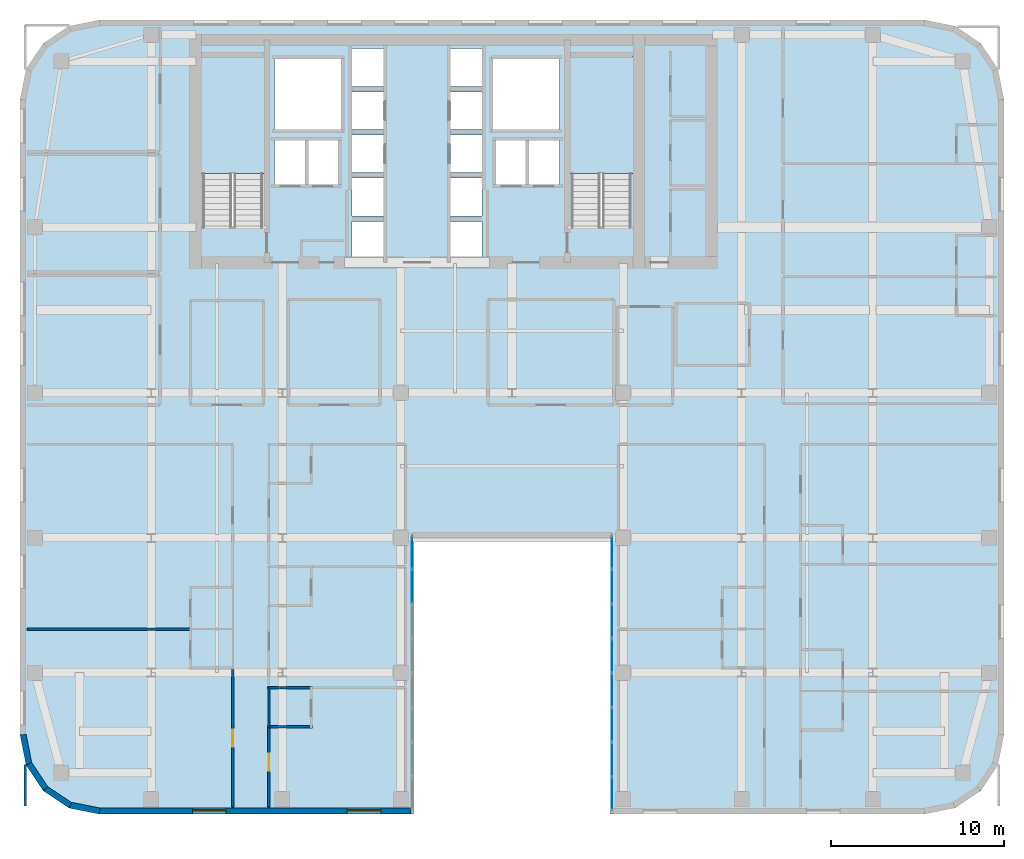
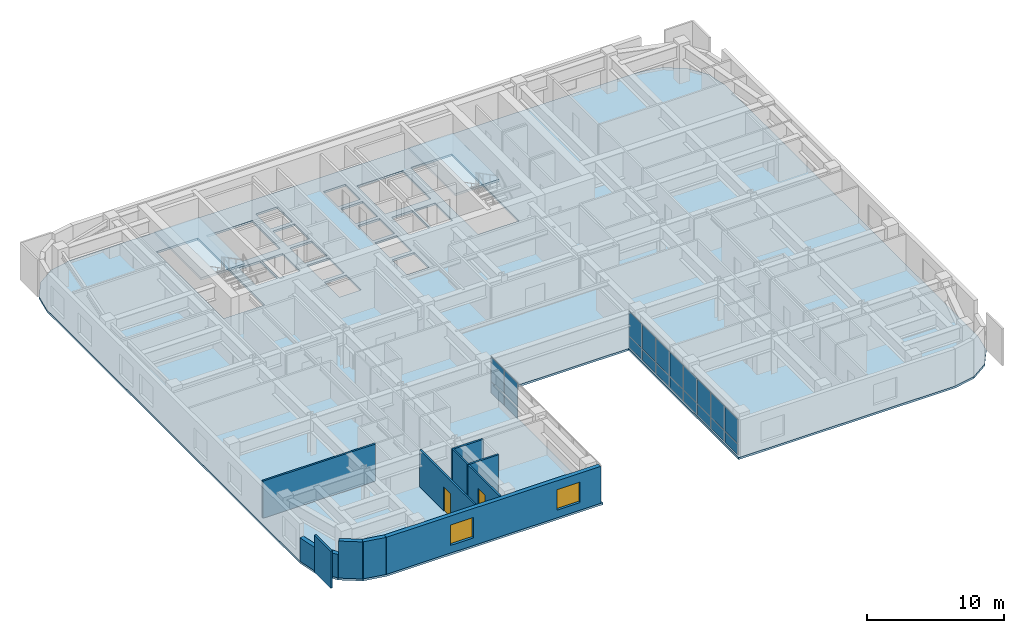
# One storey, part 8 of 15: 20 plates, 12 walls, 3 slabs, 2 doors, 2 windows, 4 openings, 4 elements without a shape of their own.
"""IFC4 building model written with IfcOpenShell, lengths in metres."""

from ifc_helpers import new_model, si_unit, direction, frame, frame_2d, origin, origin_2d, place, context, subcontext, project, spatial, polyline, rectangle, outline, extrude, source, transform, mapped, material, layer, layer_set, type_object, type_shapes, element, fill, aggregate, save


model = new_model("IFC4")

# Units and contexts
model_context = context("Model", 3, precision=1e-05, world=origin(), true_north=direction((0.0, 1.0)))
body_context = subcontext(model_context, "Body", "Model", "MODEL_VIEW")
ifc_project = project(units=[si_unit("LENGTHUNIT", "METRE"), si_unit("AREAUNIT", "SQUARE_METRE"), si_unit("VOLUMEUNIT", "CUBIC_METRE"), si_unit("PLANEANGLEUNIT", "RADIAN"), si_unit("MASSUNIT", "GRAM", prefix="KILO")], contexts=[model_context])

# Site, building, storey
site_placement = place(None, origin())
site = spatial("IfcSite", under=ifc_project, at=site_placement, CompositionType="ELEMENT")
building_placement = place(site_placement, origin())
building = spatial("IfcBuilding", under=site, at=building_placement, Name="Tolvann Quenvar Hotel", CompositionType="ELEMENT")
storey_placement = place(building_placement, frame((0.0, 0.0, 143.5)))
storey = spatial("IfcBuildingStorey", under=building, at=storey_placement, Name="L37", CompositionType="ELEMENT", Elevation=143.5)

# Stair, slab
ifc_material_1 = material(Name="Concrete N40 (40 MPa)", Category="concrete")
stair_type = type_object("IfcStairType", Name="STAIR", PredefinedType="HALF_TURN_STAIR", material=ifc_material_1)
stair_1_placement = place(storey_placement, origin())
stair_1 = element("IfcStair", 1, at=stair_1_placement, inside=storey, type_object=stair_type, Name="L37 ST-C1", PredefinedType="HALF_TURN_STAIR")
ifc_layer_1 = layer(ifc_material_1, 0.199951171875)
ifc_layer_set_1 = layer_set([ifc_layer_1], Name="Concrete N40 (40 MPa)")
slab_type_1 = type_object("IfcSlabType", Name="SLAB_LANDING", PredefinedType="LANDING", material=ifc_layer_set_1)
slab_1_placement = place(storey_placement, frame((0.0, 0.0, 1.574951171875)))
slab_1 = element("IfcSlab", 2, at=slab_1_placement, type_object=slab_type_1, Name="ST-C1 landing 1", PredefinedType="LANDING", context=body_context, shape_type="SweptSolid", body=[
    extrude(outline(polyline([(14.179931640625, 37.10498046875), (14.179931640625, 43.8798828125), (10.469970703125, 43.8798828125), (10.469970703125, 37.10498046875), (14.179931640625, 37.10498046875)])), origin(), (0.0, 0.0, 1.0), 0.199951171875),
])
aggregate(stair_1, [slab_1])

stair_2_placement = place(storey_placement, origin())
stair_2 = element("IfcStair", 3, at=stair_2_placement, inside=storey, type_object=stair_type, Name="L37 ST-C2", PredefinedType="HALF_TURN_STAIR")
slab_2_placement = place(storey_placement, frame((0.0, 0.0, 1.574951171875)))
slab_2 = element("IfcSlab", 4, at=slab_2_placement, type_object=slab_type_1, Name="ST-C2 landing 1", PredefinedType="LANDING", context=body_context, shape_type="SweptSolid", body=[
    extrude(outline(polyline([(35.530029296875, 37.10498046875), (35.530029296875, 43.8798828125), (31.820068359375, 43.8798828125), (31.820068359375, 37.10498046875), (35.530029296875, 37.10498046875)])), origin(), (0.0, 0.0, 1.0), 0.199951171875),
])
aggregate(stair_2, [slab_2])

# Slab
ifc_layer_2 = layer(ifc_material_1, 0.179931640625)
ifc_layer_set_2 = layer_set([ifc_layer_2], Name="Concrete N40 (40 MPa)")
slab_type_2 = type_object("IfcSlabType", Name="SLAB_TWR_180", PredefinedType="FLOOR", material=ifc_layer_set_2)
slab_3_placement = place(storey_placement, frame((0.0, 0.0, -0.179931640625)))
element("IfcSlab", 5, at=slab_3_placement, inside=storey, type_object=slab_type_2, Name="Level L37 Structural Floor Slab", PredefinedType="FLOOR", context=body_context, shape_type="SweptSolid", body=[
    extrude(outline(polyline([(0.0, 4.60009765625), (0.35009765625, 2.839599609375), (1.347412109375, 1.347412109375), (2.839599609375, 0.35009765625), (4.60009765625, 0.0), (22.800048828125, 0.0), (22.800048828125, 16.0), (34.199951171875, 16.0), (34.199951171875, 0.0), (52.39990234375, 0.0), (54.160400390625, 0.35009765625), (55.652587890625, 1.347412109375), (56.64990234375, 2.839599609375), (57.0, 4.60009765625), (57.0, 41.39990234375), (56.64990234375, 43.160400390625), (55.652587890625, 44.652587890625), (54.160400390625, 45.64990234375), (52.39990234375, 46.0), (4.60009765625, 46.0), (2.839599609375, 45.64990234375), (1.347412109375, 44.652587890625), (0.35009765625, 43.160400390625), (0.0, 41.39990234375), (0.0, 4.60009765625)]), holes=[polyline([(31.949951171875, 34.02490234375), (31.949951171875, 43.800048828125), (35.39990234375, 43.800048828125), (35.39990234375, 34.02490234375), (31.949951171875, 34.02490234375)]), polyline([(29.449951171875, 39.02001953125), (31.25, 39.02001953125), (31.25, 36.47998046875), (29.449951171875, 36.47998046875), (29.449951171875, 39.02001953125)]), polyline([(31.25, 43.75), (31.25, 39.64990234375), (27.39990234375, 39.64990234375), (27.39990234375, 43.75), (31.25, 43.75)]), polyline([(27.574951171875, 39.02001953125), (29.324951171875, 39.02001953125), (29.324951171875, 36.47998046875), (27.574951171875, 36.47998046875), (27.574951171875, 39.02001953125)]), polyline([(26.77001953125, 44.340087890625), (26.77001953125, 42.159912109375), (24.929931640625, 42.159912109375), (24.929931640625, 44.340087890625), (26.77001953125, 44.340087890625)]), polyline([(24.929931640625, 41.840087890625), (26.77001953125, 41.840087890625), (26.77001953125, 39.659912109375), (24.929931640625, 39.659912109375), (24.929931640625, 41.840087890625)]), polyline([(24.929931640625, 39.340087890625), (26.77001953125, 39.340087890625), (26.77001953125, 37.159912109375), (24.929931640625, 37.159912109375), (24.929931640625, 39.340087890625)]), polyline([(24.929931640625, 36.840087890625), (26.77001953125, 36.840087890625), (26.77001953125, 34.659912109375), (24.929931640625, 34.659912109375), (24.929931640625, 36.840087890625)]), polyline([(24.929931640625, 34.340087890625), (26.77001953125, 34.340087890625), (26.77001953125, 32.159912109375), (24.929931640625, 32.159912109375), (24.929931640625, 34.340087890625)]), polyline([(21.070068359375, 44.340087890625), (21.070068359375, 42.159912109375), (19.22998046875, 42.159912109375), (19.22998046875, 44.340087890625), (21.070068359375, 44.340087890625)]), polyline([(19.22998046875, 41.840087890625), (21.070068359375, 41.840087890625), (21.070068359375, 39.659912109375), (19.22998046875, 39.659912109375), (19.22998046875, 41.840087890625)]), polyline([(19.22998046875, 39.340087890625), (21.070068359375, 39.340087890625), (21.070068359375, 37.159912109375), (19.22998046875, 37.159912109375), (19.22998046875, 39.340087890625)]), polyline([(19.22998046875, 36.840087890625), (21.070068359375, 36.840087890625), (21.070068359375, 34.659912109375), (19.22998046875, 34.659912109375), (19.22998046875, 36.840087890625)]), polyline([(19.22998046875, 34.340087890625), (21.070068359375, 34.340087890625), (21.070068359375, 32.159912109375), (19.22998046875, 32.159912109375), (19.22998046875, 34.340087890625)]), polyline([(18.60009765625, 43.75), (18.60009765625, 39.64990234375), (14.75, 39.64990234375), (14.75, 43.75), (18.60009765625, 43.75)]), polyline([(16.675048828125, 39.02001953125), (18.425048828125, 39.02001953125), (18.425048828125, 36.47998046875), (16.675048828125, 36.47998046875), (16.675048828125, 39.02001953125)]), polyline([(14.75, 39.02001953125), (16.550048828125, 39.02001953125), (16.550048828125, 36.47998046875), (14.75, 36.47998046875), (14.75, 39.02001953125)]), polyline([(10.60009765625, 34.02490234375), (10.60009765625, 43.800048828125), (14.050048828125, 43.800048828125), (14.050048828125, 34.02490234375), (10.60009765625, 34.02490234375)])]), origin(), (0.0, 0.0, 1.0), 0.179931640625),
])

# Curtain wall, plate
ifc_material_2 = material(Name="Thermally broken anodised architectural aluminium 6063-T6 and laminated low-E glass", Category="aluminium")
ifc_layer_3 = layer(ifc_material_2, 0.179931640625)
ifc_layer_set_3 = layer_set([ifc_layer_3], Name="Thermally broken anodised architectural aluminium 6063-T6 and laminated low-E glass")
curtain_wall_type = type_object("IfcCurtainWallType", Name="CW_SYS_SLOT_03", PredefinedType="USERDEFINED", material=ifc_layer_set_3)
curtain_wall_1_placement = place(storey_placement, origin())
curtain_wall_1 = element("IfcCurtainWall", 6, at=curtain_wall_1_placement, inside=storey, type_object=curtain_wall_type, Name="Curtain Wall CW-SLOT-03 (CWR-L37-E05)", ObjectType="UNITISED CURTAIN WALL", PredefinedType="USERDEFINED")
ifc_material_3 = material(Name="Low-iron laminated double glazing with solar-control coating", Category="glass")
ifc_layer_4 = layer(ifc_material_3, 0.028076171875)
ifc_layer_set_4 = layer_set([ifc_layer_4], Name="Low-iron laminated double glazing with solar-control coating")
plate_type = type_object("IfcPlateType", Name="CW_PAN_VISION_28", PredefinedType="CURTAIN_PANEL", material=ifc_layer_set_4)
shared_shape_1 = source(origin(), body_context, "Body", "SweptSolid", [
    extrude(rectangle(XDim=1.89501953125, YDim=0.028076171875, at=origin_2d()), origin(), (0.0, 0.0, 1.0), 0.9599609375),
])
plate_1_placement = place(storey_placement, frame((22.7099609375, 15.157470703125, 0.06005859375), z_axis=(0.0, 0.0, 1.0), x_axis=(0.0, 1.0, 0.0)))
plate_1 = element("IfcPlate", 7, at=plate_1_placement, type_object=plate_type, Name="CW-SLOT-03 panel 8.1", PredefinedType="CURTAIN_PANEL", context=body_context, shape_type="MappedRepresentation", body=[
    mapped(shared_shape_1, transform((0.0, 0.0, 0.0), x_axis=(1.0, 0.0, 0.0), y_axis=(0.0, 1.0, 0.0), z_axis=(0.0, 0.0, 1.0), scale=1.0)),
])

# Curtain wall, plates
curtain_wall_2_placement = place(storey_placement, origin())
curtain_wall_2 = element("IfcCurtainWall", 8, at=curtain_wall_2_placement, inside=storey, type_object=curtain_wall_type, Name="Curtain Wall CW-SLOT-03 (CWR-L37-E07)", ObjectType="UNITISED CURTAIN WALL", PredefinedType="USERDEFINED")
plate_2_placement = place(storey_placement, frame((34.2900390625, 15.157470703125, 0.06005859375), z_axis=(0.0, 0.0, 1.0), x_axis=(0.0, -1.0, 0.0)))
plate_2 = element("IfcPlate", 9, at=plate_2_placement, type_object=plate_type, Name="CW-SLOT-03 panel 1.1", PredefinedType="CURTAIN_PANEL", context=body_context, shape_type="MappedRepresentation", body=[
    mapped(shared_shape_1, transform((0.0, 0.0, 0.0), x_axis=(1.0, 0.0, 0.0), y_axis=(0.0, 1.0, 0.0), z_axis=(0.0, 0.0, 1.0), scale=1.0)),
])
plate_3_placement = place(storey_placement, frame((34.2900390625, 1.1923828125, 0.06005859375), z_axis=(0.0, 0.0, 1.0), x_axis=(0.0, -1.0, 0.0)))
plate_3 = element("IfcPlate", 10, at=plate_3_placement, type_object=plate_type, Name="CW-SLOT-03 panel 8.1", PredefinedType="CURTAIN_PANEL", context=body_context, shape_type="MappedRepresentation", body=[
    mapped(shared_shape_1, transform((0.0, 0.0, 0.0), x_axis=(1.0, 0.0, 0.0), y_axis=(0.0, 1.0, 0.0), z_axis=(0.0, 0.0, 1.0), scale=1.0)),
])

# Plate
shared_shape_2 = source(origin(), body_context, "Body", "SweptSolid", [
    extrude(rectangle(XDim=1.929931640625, YDim=0.028076171875, at=origin_2d()), origin(), (0.0, 0.0, 1.0), 0.9599609375),
])
plate_4_placement = place(storey_placement, frame((22.7099609375, 13.175048828125, 0.06005859375), z_axis=(0.0, 0.0, 1.0), x_axis=(0.0, 1.0, 0.0)))
plate_4 = element("IfcPlate", 11, at=plate_4_placement, type_object=plate_type, Name="CW-SLOT-03 panel 7.1", PredefinedType="CURTAIN_PANEL", context=body_context, shape_type="MappedRepresentation", body=[
    mapped(shared_shape_2, transform((0.0, 0.0, 0.0), x_axis=(1.0, 0.0, 0.0), y_axis=(0.0, 1.0, 0.0), z_axis=(0.0, 0.0, 1.0), scale=1.0)),
])

plate_5_placement = place(storey_placement, frame((34.2900390625, 13.175048828125, 0.06005859375), z_axis=(0.0, 0.0, 1.0), x_axis=(0.0, -1.0, 0.0)))
plate_5 = element("IfcPlate", 12, at=plate_5_placement, type_object=plate_type, Name="CW-SLOT-03 panel 2.1", PredefinedType="CURTAIN_PANEL", context=body_context, shape_type="MappedRepresentation", body=[
    mapped(shared_shape_2, transform((0.0, 0.0, 0.0), x_axis=(1.0, 0.0, 0.0), y_axis=(0.0, 1.0, 0.0), z_axis=(0.0, 0.0, 1.0), scale=1.0)),
])

plate_6_placement = place(storey_placement, frame((34.2900390625, 11.175048828125, 0.06005859375), z_axis=(0.0, 0.0, 1.0), x_axis=(0.0, -1.0, 0.0)))
plate_6 = element("IfcPlate", 13, at=plate_6_placement, type_object=plate_type, Name="CW-SLOT-03 panel 3.1", PredefinedType="CURTAIN_PANEL", context=body_context, shape_type="MappedRepresentation", body=[
    mapped(shared_shape_2, transform((0.0, 0.0, 0.0), x_axis=(1.0, 0.0, 0.0), y_axis=(0.0, 1.0, 0.0), z_axis=(0.0, 0.0, 1.0), scale=1.0)),
])

plate_7_placement = place(storey_placement, frame((34.2900390625, 9.175048828125, 0.06005859375), z_axis=(0.0, 0.0, 1.0), x_axis=(0.0, -1.0, 0.0)))
plate_7 = element("IfcPlate", 14, at=plate_7_placement, type_object=plate_type, Name="CW-SLOT-03 panel 4.1", PredefinedType="CURTAIN_PANEL", context=body_context, shape_type="MappedRepresentation", body=[
    mapped(shared_shape_2, transform((0.0, 0.0, 0.0), x_axis=(1.0, 0.0, 0.0), y_axis=(0.0, 1.0, 0.0), z_axis=(0.0, 0.0, 1.0), scale=1.0)),
])

plate_8_placement = place(storey_placement, frame((34.2900390625, 7.175048828125, 0.06005859375), z_axis=(0.0, 0.0, 1.0), x_axis=(0.0, -1.0, 0.0)))
plate_8 = element("IfcPlate", 15, at=plate_8_placement, type_object=plate_type, Name="CW-SLOT-03 panel 5.1", PredefinedType="CURTAIN_PANEL", context=body_context, shape_type="MappedRepresentation", body=[
    mapped(shared_shape_2, transform((0.0, 0.0, 0.0), x_axis=(1.0, 0.0, 0.0), y_axis=(0.0, 1.0, 0.0), z_axis=(0.0, 0.0, 1.0), scale=1.0)),
])

plate_9_placement = place(storey_placement, frame((34.2900390625, 5.175048828125, 0.06005859375), z_axis=(0.0, 0.0, 1.0), x_axis=(0.0, -1.0, 0.0)))
plate_9 = element("IfcPlate", 16, at=plate_9_placement, type_object=plate_type, Name="CW-SLOT-03 panel 6.1", PredefinedType="CURTAIN_PANEL", context=body_context, shape_type="MappedRepresentation", body=[
    mapped(shared_shape_2, transform((0.0, 0.0, 0.0), x_axis=(1.0, 0.0, 0.0), y_axis=(0.0, 1.0, 0.0), z_axis=(0.0, 0.0, 1.0), scale=1.0)),
])

plate_10_placement = place(storey_placement, frame((34.2900390625, 3.175048828125, 0.06005859375), z_axis=(0.0, 0.0, 1.0), x_axis=(0.0, -1.0, 0.0)))
plate_10 = element("IfcPlate", 17, at=plate_10_placement, type_object=plate_type, Name="CW-SLOT-03 panel 7.1", PredefinedType="CURTAIN_PANEL", context=body_context, shape_type="MappedRepresentation", body=[
    mapped(shared_shape_2, transform((0.0, 0.0, 0.0), x_axis=(1.0, 0.0, 0.0), y_axis=(0.0, 1.0, 0.0), z_axis=(0.0, 0.0, 1.0), scale=1.0)),
])

shared_shape_3 = source(origin(), body_context, "Body", "SweptSolid", [
    extrude(rectangle(XDim=1.89501953125, YDim=0.028076171875, at=origin_2d()), origin(), (0.0, 0.0, 1.0), 2.14990234375),
])
plate_11_placement = place(storey_placement, frame((22.7099609375, 15.157470703125, 1.080078125), z_axis=(0.0, 0.0, 1.0), x_axis=(0.0, 1.0, 0.0)))
plate_11 = element("IfcPlate", 18, at=plate_11_placement, type_object=plate_type, Name="CW-SLOT-03 panel 8.2", PredefinedType="CURTAIN_PANEL", context=body_context, shape_type="MappedRepresentation", body=[
    mapped(shared_shape_3, transform((0.0, 0.0, 0.0), x_axis=(1.0, 0.0, 0.0), y_axis=(0.0, 1.0, 0.0), z_axis=(0.0, 0.0, 1.0), scale=1.0)),
])

plate_12_placement = place(storey_placement, frame((34.2900390625, 15.157470703125, 1.080078125), z_axis=(0.0, 0.0, 1.0), x_axis=(0.0, -1.0, 0.0)))
plate_12 = element("IfcPlate", 19, at=plate_12_placement, type_object=plate_type, Name="CW-SLOT-03 panel 1.2", PredefinedType="CURTAIN_PANEL", context=body_context, shape_type="MappedRepresentation", body=[
    mapped(shared_shape_3, transform((0.0, 0.0, 0.0), x_axis=(1.0, 0.0, 0.0), y_axis=(0.0, 1.0, 0.0), z_axis=(0.0, 0.0, 1.0), scale=1.0)),
])

plate_13_placement = place(storey_placement, frame((34.2900390625, 1.1923828125, 1.080078125), z_axis=(0.0, 0.0, 1.0), x_axis=(0.0, -1.0, 0.0)))
plate_13 = element("IfcPlate", 20, at=plate_13_placement, type_object=plate_type, Name="CW-SLOT-03 panel 8.2", PredefinedType="CURTAIN_PANEL", context=body_context, shape_type="MappedRepresentation", body=[
    mapped(shared_shape_3, transform((0.0, 0.0, 0.0), x_axis=(1.0, 0.0, 0.0), y_axis=(0.0, 1.0, 0.0), z_axis=(0.0, 0.0, 1.0), scale=1.0)),
])

shared_shape_4 = source(origin(), body_context, "Body", "SweptSolid", [
    extrude(rectangle(XDim=1.929931640625, YDim=0.028076171875, at=origin_2d()), origin(), (0.0, 0.0, 1.0), 2.14990234375),
])
type_shapes(plate_type, [shared_shape_1, shared_shape_2, shared_shape_3, shared_shape_4])
plate_14_placement = place(storey_placement, frame((22.7099609375, 13.175048828125, 1.080078125), z_axis=(0.0, 0.0, 1.0), x_axis=(0.0, 1.0, 0.0)))
plate_14 = element("IfcPlate", 21, at=plate_14_placement, type_object=plate_type, Name="CW-SLOT-03 panel 7.2", PredefinedType="CURTAIN_PANEL", context=body_context, shape_type="MappedRepresentation", body=[
    mapped(shared_shape_4, transform((0.0, 0.0, 0.0), x_axis=(1.0, 0.0, 0.0), y_axis=(0.0, 1.0, 0.0), z_axis=(0.0, 0.0, 1.0), scale=1.0)),
])

aggregate(curtain_wall_1, [plate_4, plate_14, plate_1, plate_11])

plate_15_placement = place(storey_placement, frame((34.2900390625, 13.175048828125, 1.080078125), z_axis=(0.0, 0.0, 1.0), x_axis=(0.0, -1.0, 0.0)))
plate_15 = element("IfcPlate", 22, at=plate_15_placement, type_object=plate_type, Name="CW-SLOT-03 panel 2.2", PredefinedType="CURTAIN_PANEL", context=body_context, shape_type="MappedRepresentation", body=[
    mapped(shared_shape_4, transform((0.0, 0.0, 0.0), x_axis=(1.0, 0.0, 0.0), y_axis=(0.0, 1.0, 0.0), z_axis=(0.0, 0.0, 1.0), scale=1.0)),
])

plate_16_placement = place(storey_placement, frame((34.2900390625, 11.175048828125, 1.080078125), z_axis=(0.0, 0.0, 1.0), x_axis=(0.0, -1.0, 0.0)))
plate_16 = element("IfcPlate", 23, at=plate_16_placement, type_object=plate_type, Name="CW-SLOT-03 panel 3.2", PredefinedType="CURTAIN_PANEL", context=body_context, shape_type="MappedRepresentation", body=[
    mapped(shared_shape_4, transform((0.0, 0.0, 0.0), x_axis=(1.0, 0.0, 0.0), y_axis=(0.0, 1.0, 0.0), z_axis=(0.0, 0.0, 1.0), scale=1.0)),
])

plate_17_placement = place(storey_placement, frame((34.2900390625, 9.175048828125, 1.080078125), z_axis=(0.0, 0.0, 1.0), x_axis=(0.0, -1.0, 0.0)))
plate_17 = element("IfcPlate", 24, at=plate_17_placement, type_object=plate_type, Name="CW-SLOT-03 panel 4.2", PredefinedType="CURTAIN_PANEL", context=body_context, shape_type="MappedRepresentation", body=[
    mapped(shared_shape_4, transform((0.0, 0.0, 0.0), x_axis=(1.0, 0.0, 0.0), y_axis=(0.0, 1.0, 0.0), z_axis=(0.0, 0.0, 1.0), scale=1.0)),
])

plate_18_placement = place(storey_placement, frame((34.2900390625, 7.175048828125, 1.080078125), z_axis=(0.0, 0.0, 1.0), x_axis=(0.0, -1.0, 0.0)))
plate_18 = element("IfcPlate", 25, at=plate_18_placement, type_object=plate_type, Name="CW-SLOT-03 panel 5.2", PredefinedType="CURTAIN_PANEL", context=body_context, shape_type="MappedRepresentation", body=[
    mapped(shared_shape_4, transform((0.0, 0.0, 0.0), x_axis=(1.0, 0.0, 0.0), y_axis=(0.0, 1.0, 0.0), z_axis=(0.0, 0.0, 1.0), scale=1.0)),
])

plate_19_placement = place(storey_placement, frame((34.2900390625, 5.175048828125, 1.080078125), z_axis=(0.0, 0.0, 1.0), x_axis=(0.0, -1.0, 0.0)))
plate_19 = element("IfcPlate", 26, at=plate_19_placement, type_object=plate_type, Name="CW-SLOT-03 panel 6.2", PredefinedType="CURTAIN_PANEL", context=body_context, shape_type="MappedRepresentation", body=[
    mapped(shared_shape_4, transform((0.0, 0.0, 0.0), x_axis=(1.0, 0.0, 0.0), y_axis=(0.0, 1.0, 0.0), z_axis=(0.0, 0.0, 1.0), scale=1.0)),
])

plate_20_placement = place(storey_placement, frame((34.2900390625, 3.175048828125, 1.080078125), z_axis=(0.0, 0.0, 1.0), x_axis=(0.0, -1.0, 0.0)))
plate_20 = element("IfcPlate", 27, at=plate_20_placement, type_object=plate_type, Name="CW-SLOT-03 panel 7.2", PredefinedType="CURTAIN_PANEL", context=body_context, shape_type="MappedRepresentation", body=[
    mapped(shared_shape_4, transform((0.0, 0.0, 0.0), x_axis=(1.0, 0.0, 0.0), y_axis=(0.0, 1.0, 0.0), z_axis=(0.0, 0.0, 1.0), scale=1.0)),
])

aggregate(curtain_wall_2, [plate_2, plate_12, plate_5, plate_15, plate_6, plate_16, plate_7, plate_17, plate_8, plate_18, plate_9, plate_19, plate_10, plate_20, plate_3, plate_13])

# Walls
ifc_material_4 = material(Name="Kiln-fired red and buff architectural clay brickwork and terracotta masonry", Category="masonry")
ifc_layer_5 = layer(ifc_material_4, 0.35009765625)
ifc_layer_set_5 = layer_set([ifc_layer_5], Name="Kiln-fired red and buff architectural clay brickwork and terracotta masonry")
wall_type_1 = type_object("IfcWallType", Name="WALL_EXT_BRICK_350", PredefinedType="SOLIDWALL", material=ifc_layer_set_5)
wall_1_placement = place(storey_placement, frame((0.514892578125, 2.907958984375, 0.0), z_axis=(0.0, 0.0, 1.0), x_axis=(0.55554893791, -0.831483840845, 0.0)))
element("IfcWall", 28, at=wall_1_placement, inside=storey, type_object=wall_type_1, Name="Exterior Chicago Brick Wall L37-E01", PredefinedType="SOLIDWALL", context=body_context, shape_type="SweptSolid", body=[
    extrude(rectangle(XDim=1.725341796875, YDim=0.35009765625, at=frame_2d((0.86279296875, 0.0))), origin(), (0.0, 0.0, 1.0), 2.080078125),
])
wall_2_placement = place(storey_placement, frame((1.473388671875, 1.473388671875, 0.0), z_axis=(0.0, 0.0, 1.0), x_axis=(0.831483840845, -0.55554893791, 0.0)))
element("IfcWall", 29, at=wall_2_placement, inside=storey, type_object=wall_type_1, Name="Exterior Chicago Brick Wall L37-E02", PredefinedType="SOLIDWALL", context=body_context, shape_type="SweptSolid", body=[
    extrude(rectangle(XDim=1.725341796875, YDim=0.35009765625, at=frame_2d((0.86279296875, 0.0))), origin(), (0.0, 0.0, 1.0), 3.2900390625),
])
wall_3_placement = place(storey_placement, frame((2.907958984375, 0.514892578125, 0.0), z_axis=(0.0, 0.0, 1.0), x_axis=(0.980800971659, -0.195011420161, 0.0)))
element("IfcWall", 30, at=wall_3_placement, inside=storey, type_object=wall_type_1, Name="Exterior Chicago Brick Wall L37-E03", PredefinedType="SOLIDWALL", context=body_context, shape_type="SweptSolid", body=[
    extrude(rectangle(XDim=1.74267578125, YDim=0.35009765625, at=frame_2d((0.871337890625, 0.0))), origin(), (0.0, 0.0, 1.0), 3.2900390625),
])

# Wall, openings, windows
wall_4_placement = place(storey_placement, frame((4.6171875, 0.175048828125, 0.0), z_axis=(0.0, 0.0, 1.0), x_axis=(1.0, 0.0, 0.0)))
wall_4 = element("IfcWall", 31, at=wall_4_placement, inside=storey, type_object=wall_type_1, Name="Exterior Chicago Brick Wall L37-E04", PredefinedType="SOLIDWALL", context=body_context, shape_type="SweptSolid", body=[
    extrude(rectangle(XDim=18.0078125, YDim=0.35009765625, at=frame_2d((9.00390625, 0.0))), origin(), (0.0, 0.0, 1.0), 3.2900390625),
])
opening_1_placement = place(wall_4_placement, frame((5.3779296875, 0.0, 0.679931640625)))
opening_1 = element("IfcOpeningElement", 32, at=opening_1_placement, cuts=wall_4, Name="Opening W-10", PredefinedType="OPENING", context=body_context, shape_type="SweptSolid", body=[
    extrude(rectangle(XDim=1.949951171875, YDim=1.820068359375, at=frame_2d((0.97509765625, 0.91015625))), frame((0.0, 0.18505859375, 0.0), z_axis=(0.0, -1.0, 0.0), x_axis=(1.0, 0.0, 0.0)), (0.0, 0.0, 1.0), 0.3701171875),
])
opening_2_placement = place(wall_4_placement, frame((14.33203125, 0.0, 0.679931640625)))
opening_2 = element("IfcOpeningElement", 33, at=opening_2_placement, cuts=wall_4, Name="Opening W-10", PredefinedType="OPENING", context=body_context, shape_type="SweptSolid", body=[
    extrude(rectangle(XDim=1.949951171875, YDim=1.820068359375, at=frame_2d((0.97509765625, 0.91015625))), frame((0.0, 0.18505859375, 0.0), z_axis=(0.0, -1.0, 0.0), x_axis=(1.0, 0.0, 0.0)), (0.0, 0.0, 1.0), 0.3701171875),
])
ifc_material_5 = material(Name="Thermally broken bronze-anodised aluminium frame with double low-E glazing", Category="aluminium")
window_type = type_object("IfcWindowType", Name="WIN_CLB_1950x1850", PartitioningType="DOUBLE_PANEL_VERTICAL", PredefinedType="WINDOW", material=ifc_material_5)
shared_shape_5 = source(origin(), body_context, "Body", "SweptSolid", [
    extrude(rectangle(XDim=1.949951171875, YDim=1.820068359375, at=frame_2d((0.97509765625, 0.91015625))), frame((0.0, 0.090087890625, 0.0), z_axis=(0.0, -1.0, 0.0), x_axis=(1.0, 0.0, 0.0)), (0.0, 0.0, 1.0), 0.06005859375),
])
type_shapes(window_type, [shared_shape_5])
window_1_placement = place(opening_1_placement, origin())
window_1 = element("IfcWindow", 34, at=window_1_placement, inside=storey, type_object=window_type, Name="Chicago Window W-10 (EW-L37-E04-W01)", OverallHeight=1.820068359375, OverallWidth=1.949951171875, PartitioningType="DOUBLE_PANEL_VERTICAL", PredefinedType="WINDOW", context=body_context, shape_type="MappedRepresentation", body=[
    mapped(shared_shape_5, transform((0.0, 0.0, 0.0), x_axis=(1.0, 0.0, 0.0), y_axis=(0.0, 1.0, 0.0), z_axis=(0.0, 0.0, 1.0), scale=1.0)),
])
fill(opening_1, window_1)
window_2_placement = place(opening_2_placement, origin())
window_2 = element("IfcWindow", 35, at=window_2_placement, inside=storey, type_object=window_type, Name="Chicago Window W-10 (EW-L37-E04-W02)", OverallHeight=1.820068359375, OverallWidth=1.949951171875, PartitioningType="DOUBLE_PANEL_VERTICAL", PredefinedType="WINDOW", context=body_context, shape_type="MappedRepresentation", body=[
    mapped(shared_shape_5, transform((0.0, 0.0, 0.0), x_axis=(1.0, 0.0, 0.0), y_axis=(0.0, 1.0, 0.0), z_axis=(0.0, 0.0, 1.0), scale=1.0)),
])
fill(opening_2, window_2)

# Walls
wall_5_placement = place(storey_placement, frame((0.175048828125, 4.6171875, 0.0), z_axis=(0.0, 0.0, 1.0), x_axis=(0.195011420161, -0.980800971659, 0.0)))
element("IfcWall", 36, at=wall_5_placement, inside=storey, type_object=wall_type_1, Name="Exterior Chicago Brick Wall L37-E24", PredefinedType="SOLIDWALL", context=body_context, shape_type="SweptSolid", body=[
    extrude(rectangle(XDim=1.74267578125, YDim=0.35009765625, at=frame_2d((0.871337890625, 0.0))), origin(), (0.0, 0.0, 1.0), 2.080078125),
])
ifc_material_6 = material(Name="Moisture-resistant acoustic plumbing wall assembly")
ifc_layer_6 = layer(ifc_material_6, 0.1201171875)
ifc_layer_set_6 = layer_set([ifc_layer_6], Name="Moisture-resistant acoustic plumbing wall assembly")
wall_type_2 = type_object("IfcWallType", Name="WALL_PART_BATH_120", PredefinedType="PLUMBINGWALL", material=ifc_layer_set_6)
wall_6_placement = place(storey_placement, frame((14.419921875, 5.0, 0.0), z_axis=(0.0, 0.0, 1.0), x_axis=(0.0, 1.0, 0.0)))
element("IfcWall", 37, at=wall_6_placement, inside=storey, type_object=wall_type_2, Name="Non-Rated Plumbing Partition PT-SPC-L37-ENS-WI01-W", PredefinedType="PLUMBINGWALL", context=body_context, shape_type="SweptSolid", body=[
    extrude(rectangle(XDim=2.389892578125, YDim=0.1201171875, at=frame_2d((1.19482421875, 0.0))), origin(), (0.0, 0.0, 1.0), 3.2900390625),
])
ifc_material_7 = material(Name="Acoustic twin-stud fire-rated gypsum plasterboard partition")
ifc_layer_7 = layer(ifc_material_7, 0.14990234375)
ifc_layer_set_7 = layer_set([ifc_layer_7], Name="Acoustic twin-stud fire-rated gypsum plasterboard partition")
wall_type_3 = type_object("IfcWallType", Name="WALL_PART_SUITE_150", PredefinedType="PARTITIONING", material=ifc_layer_set_7)
for number, where, z_axis, x_axis, name in (
    (38, (14.35009765625, 5.070068359375, 0.0), (0.0, 0.0, 1.0), (1.0, 0.0, 0.0), "Interior Partition PT-SPC-L37-ENS-WI01-S"),
    (39, (14.35009765625, 7.320068359375, 0.0), (0.0, 0.0, 1.0), (1.0, 0.0, 0.0), "Interior Partition PT-SPC-L37-ENS-WI01-N"),
):
    element("IfcWall", number, at=place(storey_placement, frame(where, z_axis=z_axis, x_axis=x_axis)), inside=storey, type_object=wall_type_3, Name=name, PredefinedType="PARTITIONING", context=body_context, shape_type="SweptSolid", body=[
        extrude(rectangle(XDim=2.58984375, YDim=0.14990234375, at=frame_2d((1.294921875, 0.0))), origin(), (0.0, 0.0, 1.0), 3.2900390625),
    ])

# Wall, opening, door
wall_7_placement = place(storey_placement, frame((12.330078125, 0.405029296875, 0.0), z_axis=(0.0, 0.0, 1.0), x_axis=(0.0, 1.0, 0.0)))
wall_7 = element("IfcWall", 40, at=wall_7_placement, inside=storey, type_object=wall_type_3, Name="Interior Partition PT-SPC-L37-RM-WO01-ENT", PredefinedType="PARTITIONING", context=body_context, shape_type="SweptSolid", body=[
    extrude(rectangle(XDim=7.98486328125, YDim=0.14990234375, at=frame_2d((3.992431640625, 0.0))), origin(), (0.0, 0.0, 1.0), 3.2900390625),
])
opening_3_placement = place(wall_7_placement, frame((3.510009765625, 0.0, 0.0)))
opening_3 = element("IfcOpeningElement", 41, at=opening_3_placement, cuts=wall_7, Name="Opening SD-01", PredefinedType="OPENING", context=body_context, shape_type="SweptSolid", body=[
    extrude(rectangle(XDim=0.97998046875, YDim=2.1201171875, at=frame_2d((0.489990234375, 1.06005859375))), frame((0.0, 0.0849609375, 0.0), z_axis=(0.0, -1.0, 0.0), x_axis=(1.0, 0.0, 0.0)), (0.0, 0.0, 1.0), 0.169921875),
])
ifc_material_8 = material(Name="Solid-core American oak acoustic fire door leaf in steel frame", Category="steel")
door_type = type_object("IfcDoorType", Name="DOOR_SUITE_980", OperationType="NOTDEFINED", PredefinedType="DOOR", material=ifc_material_8)
shared_shape_6 = source(origin(), body_context, "Body", "SweptSolid", [
    extrude(rectangle(XDim=0.97998046875, YDim=2.1201171875, at=frame_2d((0.489990234375, 1.06005859375))), frame((0.0, 0.02490234375, 0.0), z_axis=(0.0, -1.0, 0.0), x_axis=(1.0, 0.0, 0.0)), (0.0, 0.0, 1.0), 0.050048828125),
])
type_shapes(door_type, [shared_shape_6])
door_1_placement = place(opening_3_placement, origin())
door_1 = element("IfcDoor", 42, at=door_1_placement, inside=storey, type_object=door_type, Name="Interior Door DOOR-SPC-L37-RM-WO01", OperationType="SINGLE_SWING_LEFT", OverallHeight=2.1201171875, OverallWidth=0.97998046875, PredefinedType="DOOR", context=body_context, shape_type="MappedRepresentation", body=[
    mapped(shared_shape_6, transform((0.0, 0.0, 0.0), x_axis=(1.0, 0.0, 0.0), y_axis=(0.0, 1.0, 0.0), z_axis=(0.0, 0.0, 1.0), scale=1.0)),
])
fill(opening_3, door_1)

# Walls
wall_8_placement = place(storey_placement, frame((0.405029296875, 10.719970703125, 0.0), z_axis=(0.0, 0.0, 1.0), x_axis=(1.0, 0.0, 0.0)))
element("IfcWall", 43, at=wall_8_placement, inside=storey, type_object=wall_type_3, Name="Interior Partition PT-SPC-L37-RM-WO01-E5", PredefinedType="PARTITIONING", context=body_context, shape_type="SweptSolid", body=[
    extrude(rectangle(XDim=9.455078125, YDim=0.14990234375, at=frame_2d((4.7275390625, 0.0))), origin(), (0.0, 0.0, 1.0), 3.2900390625),
])
wall_9_placement = place(storey_placement, frame((0.300048828125, 0.47998046875, 0.0), z_axis=(0.0, 0.0, 1.0), x_axis=(0.0, 1.0, 0.0)))
element("IfcWall", 44, at=wall_9_placement, inside=storey, type_object=wall_type_3, Name="Interior Partition PT-SPC-L37-RM-WO01-E6", PredefinedType="PARTITIONING", context=body_context, shape_type="SweptSolid", body=[
    extrude(rectangle(XDim=2.385009765625, YDim=0.14990234375, at=frame_2d((1.1923828125, 0.0))), origin(), (0.0, 0.0, 1.0), 3.2900390625),
])

# Wall, opening, door
wall_10_placement = place(storey_placement, frame((14.419921875, 0.405029296875, 0.0), z_axis=(0.0, 0.0, 1.0), x_axis=(0.0, 1.0, 0.0)))
wall_10 = element("IfcWall", 45, at=wall_10_placement, inside=storey, type_object=wall_type_3, Name="Interior Partition PT-SPC-L37-RM-WI01-ENT", PredefinedType="PARTITIONING", context=body_context, shape_type="SweptSolid", body=[
    extrude(rectangle(XDim=4.5849609375, YDim=0.14990234375, at=frame_2d((2.29248046875, 0.0))), origin(), (0.0, 0.0, 1.0), 3.2900390625),
])
opening_4_placement = place(wall_10_placement, frame((2.110107421875, 0.0, 0.0)))
opening_4 = element("IfcOpeningElement", 46, at=opening_4_placement, cuts=wall_10, Name="Opening SD-01", PredefinedType="OPENING", context=body_context, shape_type="SweptSolid", body=[
    extrude(rectangle(XDim=0.97998046875, YDim=2.1201171875, at=frame_2d((0.489990234375, 1.06005859375))), frame((0.0, 0.0849609375, 0.0), z_axis=(0.0, -1.0, 0.0), x_axis=(1.0, 0.0, 0.0)), (0.0, 0.0, 1.0), 0.169921875),
])
door_2_placement = place(opening_4_placement, origin())
door_2 = element("IfcDoor", 47, at=door_2_placement, inside=storey, type_object=door_type, Name="Interior Door DOOR-SPC-L37-RM-WI01", OperationType="SINGLE_SWING_LEFT", OverallHeight=2.1201171875, OverallWidth=0.97998046875, PredefinedType="DOOR", context=body_context, shape_type="MappedRepresentation", body=[
    mapped(shared_shape_6, transform((0.0, 0.0, 0.0), x_axis=(1.0, 0.0, 0.0), y_axis=(0.0, 1.0, 0.0), z_axis=(0.0, 0.0, 1.0), scale=1.0)),
])
fill(opening_4, door_2)

save(model, "model.ifc")
